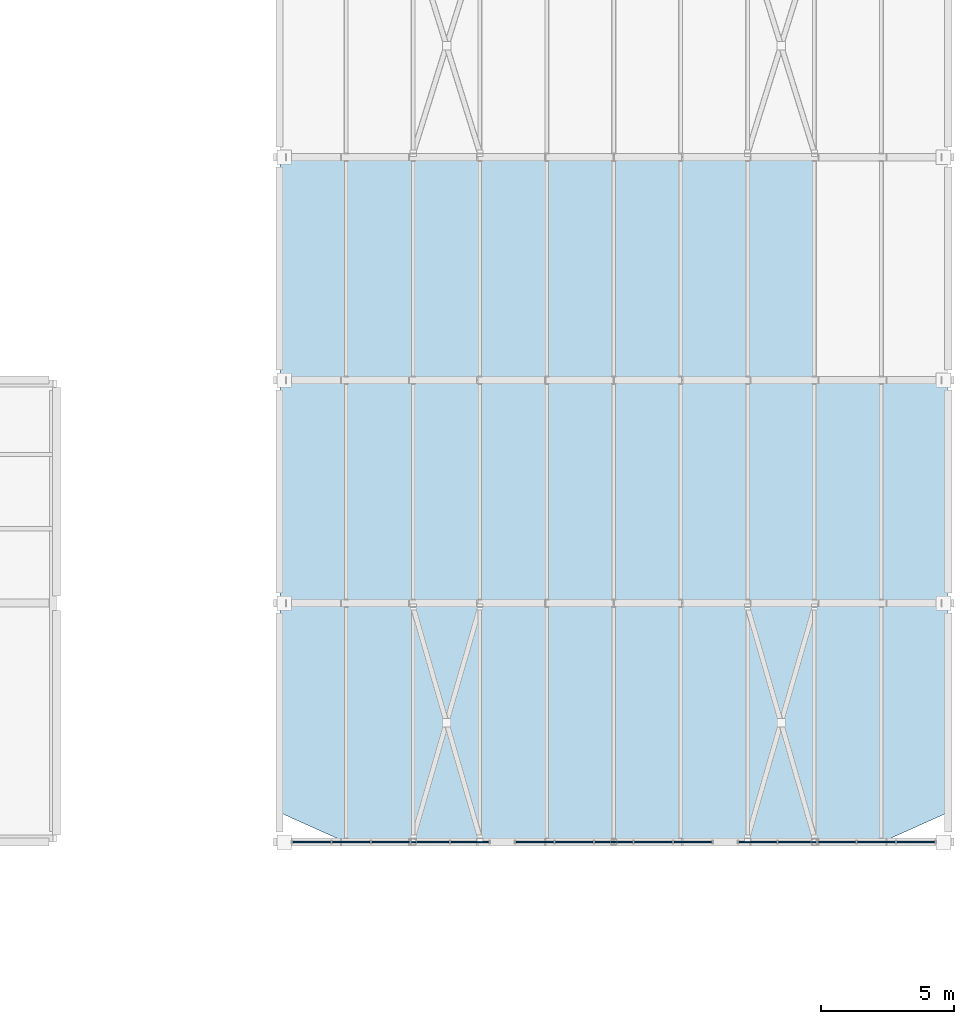
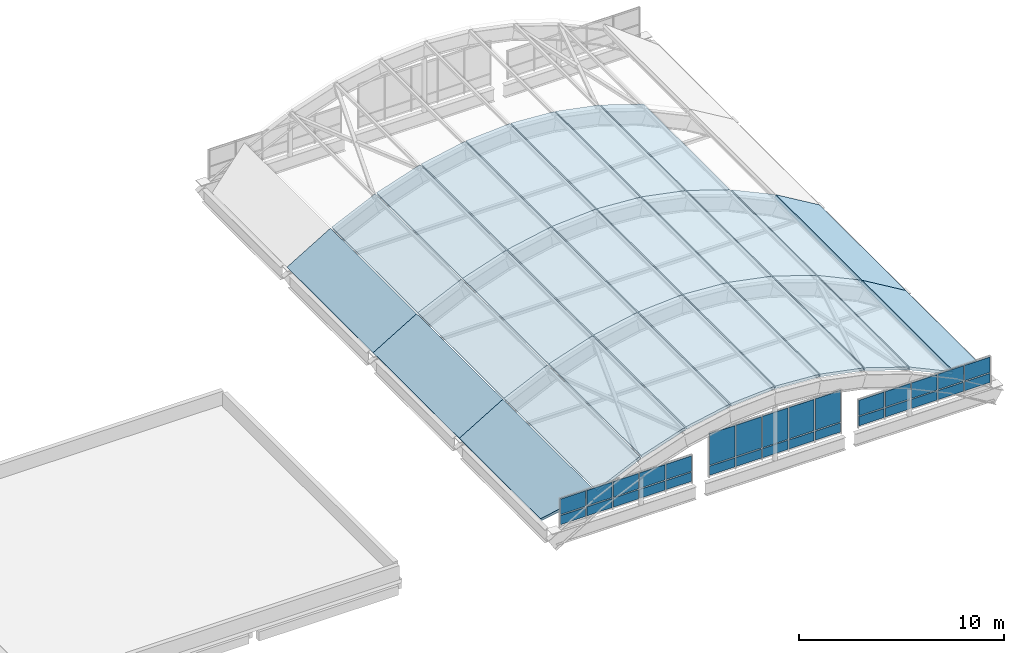
# One storey, part 80 of 107: 30 plates, 28 slabs, 4 elements without a shape of their own.
"""IFC4 building model written with IfcOpenShell, lengths in metres."""

from ifc_helpers import new_model, si_unit, direction, frame, origin, origin_2d, place, context, subcontext, project, spatial, polyline, rectangle, outline, extrude, material, layer, layer_set, type_object, element, aggregate, save


model = new_model("IFC4")

# Units and contexts
model_context = context("Model", 3, precision=1e-05, world=origin(), true_north=direction((0.0, 1.0)))
body_context = subcontext(model_context, "Body", "Model", "MODEL_VIEW")
ifc_project = project(units=[si_unit("LENGTHUNIT", "METRE"), si_unit("AREAUNIT", "SQUARE_METRE"), si_unit("VOLUMEUNIT", "CUBIC_METRE"), si_unit("PLANEANGLEUNIT", "RADIAN"), si_unit("MASSUNIT", "GRAM", prefix="KILO")], contexts=[model_context])

# Site, building, storey
site_placement = place(None, origin())
site = spatial("IfcSite", under=ifc_project, at=site_placement, CompositionType="ELEMENT")
building_placement = place(site_placement, origin())
building = spatial("IfcBuilding", under=site, at=building_placement, Name="Vireocrest Preparatory School", CompositionType="ELEMENT")
storey_placement = place(building_placement, frame((0.0, 0.0, 13.199951171875)))
storey = spatial("IfcBuildingStorey", under=building, at=storey_placement, Name="L03", CompositionType="ELEMENT", Elevation=13.199951171875)

# Roof, slabs
ifc_material_1 = material(Name="Structural steel ASTM A992 Grade 50", Category="steel")
ifc_layer_1 = layer(ifc_material_1, 0.159912109375)
ifc_layer_set_1 = layer_set([ifc_layer_1], Name="Structural steel ASTM A992 Grade 50")
roof_type = type_object("IfcRoofType", Name="Exposed Steel Barrel Vault Roof Assembly", PredefinedType="BARREL_ROOF", material=ifc_layer_set_1)
roof_placement = place(storey_placement, origin())
roof = element("IfcRoof", 1, at=roof_placement, inside=storey, type_object=roof_type, Name="Assembly Hall Barrel Vault Roof", PredefinedType="BARREL_ROOF")
ifc_material_2 = material(Name="Concrete 40 MPa", Category="concrete")
ifc_layer_2 = layer(ifc_material_2, 0.159912109375)
ifc_layer_set_2 = layer_set([ifc_layer_2], Name="Concrete 40 MPa")
slab_type = type_object("IfcSlabType", Name="Barrel Vault Insulated Composite Roof Deck 160", PredefinedType="ROOF", material=ifc_layer_set_2)
slab_1_placement = place(storey_placement, frame((142.8349609375, 19.10009765625, -0.03466796875), z_axis=(-0.512670168788, 0.0, 0.858585638149), x_axis=(0.801111562074, -0.359721843418, 0.478351816636)))
slab_1 = element("IfcSlab", 2, at=slab_1_placement, type_object=slab_type, Name="Assembly Hall Barrel Vault Roof Barrel Vault Roof Slab 1-1", PredefinedType="ROOF", context=body_context, shape_type="SweptSolid", body=[
    extrude(outline(polyline([(0.0, 0.0), (3.0581897551609387, 5.551115123125783e-17), (-0.17930683560537397, 8.397536294936542), (-2.841767433919714, 7.371079628677208), (0.0, 0.0)])), origin(), (0.0, 0.0, -1.0), 0.159912109375),
])
slab_2_placement = place(storey_placement, frame((145.35498046875, 18.0, 1.46533203125), z_axis=(-0.421252036967, 0.0, 0.90694361531), x_axis=(0.90694361531, 0.0, 0.421252036967)))
slab_2 = element("IfcSlab", 3, at=slab_2_placement, type_object=slab_type, Name="Assembly Hall Barrel Vault Roof Barrel Vault Roof Slab 1-2", PredefinedType="ROOF", context=body_context, shape_type="SweptSolid", body=[
    extrude(outline(polyline([(0.0, 0.0), (2.7013268857267367, 0.0), (2.7013268857267367, 9.0), (0.0, 9.0), (0.0, 0.0)])), origin(), (0.0, 0.0, -1.0), 0.159912109375),
])
slab_3_placement = place(storey_placement, frame((147.875, 18.0, 2.631103515625), z_axis=(-0.31486545079, 0.0, 0.949136316816), x_axis=(0.949136316816, 0.0, 0.31486545079)))
slab_3 = element("IfcSlab", 4, at=slab_3_placement, type_object=slab_type, Name="Assembly Hall Barrel Vault Roof Barrel Vault Roof Slab 1-3", PredefinedType="ROOF", context=body_context, shape_type="SweptSolid", body=[
    extrude(outline(polyline([(0.0, 0.0), (2.5812426818670025, 0.0), (2.5812426818670025, 9.0), (0.0, 9.0), (0.0, 0.0)])), origin(), (0.0, 0.0, -1.0), 0.159912109375),
])
slab_4_placement = place(storey_placement, frame((150.39501953125, 18.0, 3.462646484375), z_axis=(-0.195176287901, 0.0, 0.980768176809), x_axis=(0.980768176809, 0.0, 0.195176287901)))
slab_4 = element("IfcSlab", 5, at=slab_4_placement, type_object=slab_type, Name="Assembly Hall Barrel Vault Roof Barrel Vault Roof Slab 1-4", PredefinedType="ROOF", context=body_context, shape_type="SweptSolid", body=[
    extrude(outline(polyline([(0.0, 0.0), (2.4979921145547572, 0.0), (2.4979921145547572, 9.0), (0.0, 9.0), (0.0, 0.0)])), origin(), (0.0, 0.0, -1.0), 0.159912109375),
])
slab_5_placement = place(storey_placement, frame((152.9150390625, 18.0, 3.95947265625), z_axis=(-0.066222030045, 0.0, 0.997804912163), x_axis=(0.997804912163, 0.0, 0.066222030045)))
slab_5 = element("IfcSlab", 6, at=slab_5_placement, type_object=slab_type, Name="Assembly Hall Barrel Vault Roof Barrel Vault Roof Slab 1-5", PredefinedType="ROOF", context=body_context, shape_type="SweptSolid", body=[
    extrude(outline(polyline([(0.0, 0.0), (2.455340860733939, 0.0), (2.455340860733939, 9.0), (0.0, 9.0), (0.0, 0.0)])), origin(), (0.0, 0.0, -1.0), 0.159912109375),
])
slab_6_placement = place(storey_placement, frame((155.43505859375, 18.0, 4.1220703125), z_axis=(0.066222030045, 0.0, 0.997804912163), x_axis=(0.997804912163, 0.0, -0.066222030045)))
slab_6 = element("IfcSlab", 7, at=slab_6_placement, type_object=slab_type, Name="Assembly Hall Barrel Vault Roof Barrel Vault Roof Slab 1-6", PredefinedType="ROOF", context=body_context, shape_type="SweptSolid", body=[
    extrude(outline(polyline([(0.0, 0.0), (2.455340860733939, 0.0), (2.455340860733939, 9.0), (0.0, 9.0), (0.0, 0.0)])), origin(), (0.0, 0.0, -1.0), 0.159912109375),
])
slab_7_placement = place(storey_placement, frame((157.955078125, 18.0, 3.9501953125), z_axis=(0.195176287901, 0.0, 0.980768176809), x_axis=(0.980768176809, 0.0, -0.195176287901)))
slab_7 = element("IfcSlab", 8, at=slab_7_placement, type_object=slab_type, Name="Assembly Hall Barrel Vault Roof Barrel Vault Roof Slab 1-7", PredefinedType="ROOF", context=body_context, shape_type="SweptSolid", body=[
    extrude(outline(polyline([(0.0, 0.0), (2.4979921145547572, 0.0), (2.4979921145547572, 9.0), (0.0, 9.0), (0.0, 0.0)])), origin(), (0.0, 0.0, -1.0), 0.159912109375),
])
slab_8_placement = place(storey_placement, frame((160.47509765625, 18.0, 3.44384765625), z_axis=(0.31486545079, 0.0, 0.949136316816), x_axis=(0.949136316816, 0.0, -0.31486545079)))
slab_8 = element("IfcSlab", 9, at=slab_8_placement, type_object=slab_type, Name="Assembly Hall Barrel Vault Roof Barrel Vault Roof Slab 1-8", PredefinedType="ROOF", context=body_context, shape_type="SweptSolid", body=[
    extrude(outline(polyline([(0.0, 0.0), (2.5812426818670025, 0.0), (2.5812426818670025, 9.0), (0.0, 9.0), (0.0, 0.0)])), origin(), (0.0, 0.0, -1.0), 0.159912109375),
])
slab_9_placement = place(storey_placement, frame((162.9951171875, 18.0, 2.603271484375), z_axis=(0.421252036967, 0.0, 0.90694361531), x_axis=(0.90694361531, 0.0, -0.421252036967)))
slab_9 = element("IfcSlab", 10, at=slab_9_placement, type_object=slab_type, Name="Assembly Hall Barrel Vault Roof Barrel Vault Roof Slab 1-9", PredefinedType="ROOF", context=body_context, shape_type="SweptSolid", body=[
    extrude(outline(polyline([(0.0, 0.0), (2.7013268857267367, 0.0), (2.7013268857267367, 9.0), (0.0, 9.0), (0.0, 0.0)])), origin(), (0.0, 0.0, -1.0), 0.159912109375),
])
slab_10_placement = place(storey_placement, frame((165.514892578125, 18.0, 1.42822265625), z_axis=(0.512632510403, 0.0, 0.858608123231), x_axis=(0.801140156679, 0.35969883878, -0.478321225471)))
slab_10 = element("IfcSlab", 11, at=slab_10_placement, type_object=slab_type, Name="Assembly Hall Barrel Vault Roof Barrel Vault Roof Slab 1-10", PredefinedType="ROOF", context=body_context, shape_type="SweptSolid", body=[
    extrude(outline(polyline([(0.0, 0.0), (3.058385342529062, 5.551115123125783e-17), (5.899971042052691, 7.371149690044938), (3.237289549021542, 8.397616112671258), (0.0, 0.0)])), origin(), (0.0, 0.0, -1.0), 0.159912109375),
])
slab_11_placement = place(storey_placement, frame((142.8349609375, 27.0, -0.03466796875), z_axis=(-0.512670168788, 0.0, 0.858585638149), x_axis=(0.858585638149, 0.0, 0.512670168788)))
slab_11 = element("IfcSlab", 12, at=slab_11_placement, type_object=slab_type, Name="Assembly Hall Barrel Vault Roof Barrel Vault Roof Slab 2-1", PredefinedType="ROOF", context=body_context, shape_type="SweptSolid", body=[
    extrude(outline(polyline([(0.0, 0.0), (2.853473273974119, 0.0), (2.853473273974119, 8.39990234375), (0.0, 8.39990234375), (0.0, 0.0)])), origin(), (0.0, 0.0, -1.0), 0.159912109375),
])
slab_12_placement = place(storey_placement, frame((145.35498046875, 27.0, 1.46533203125), z_axis=(-0.421252036967, 0.0, 0.90694361531), x_axis=(0.90694361531, 0.0, 0.421252036967)))
slab_12 = element("IfcSlab", 13, at=slab_12_placement, type_object=slab_type, Name="Assembly Hall Barrel Vault Roof Barrel Vault Roof Slab 2-2", PredefinedType="ROOF", context=body_context, shape_type="SweptSolid", body=[
    extrude(outline(polyline([(0.0, 0.0), (2.7013268857267367, 0.0), (2.7013268857267367, 8.399902343749998), (0.0, 8.399902343749998), (0.0, 0.0)])), origin(), (0.0, 0.0, -1.0), 0.159912109375),
])
slab_13_placement = place(storey_placement, frame((147.875, 27.0, 2.631103515625), z_axis=(-0.31486545079, 0.0, 0.949136316816), x_axis=(0.949136316816, 0.0, 0.31486545079)))
slab_13 = element("IfcSlab", 14, at=slab_13_placement, type_object=slab_type, Name="Assembly Hall Barrel Vault Roof Barrel Vault Roof Slab 2-3", PredefinedType="ROOF", context=body_context, shape_type="SweptSolid", body=[
    extrude(outline(polyline([(0.0, 0.0), (2.5812426818670025, 0.0), (2.5812426818670025, 8.39990234375), (0.0, 8.39990234375), (0.0, 0.0)])), origin(), (0.0, 0.0, -1.0), 0.159912109375),
])
slab_14_placement = place(storey_placement, frame((150.39501953125, 27.0, 3.462646484375), z_axis=(-0.195176287901, 0.0, 0.980768176809), x_axis=(0.980768176809, 0.0, 0.195176287901)))
slab_14 = element("IfcSlab", 15, at=slab_14_placement, type_object=slab_type, Name="Assembly Hall Barrel Vault Roof Barrel Vault Roof Slab 2-4", PredefinedType="ROOF", context=body_context, shape_type="SweptSolid", body=[
    extrude(outline(polyline([(0.0, 0.0), (2.4979921145547572, 0.0), (2.4979921145547572, 8.39990234375), (0.0, 8.39990234375), (0.0, 0.0)])), origin(), (0.0, 0.0, -1.0), 0.159912109375),
])
slab_15_placement = place(storey_placement, frame((152.9150390625, 27.0, 3.95947265625), z_axis=(-0.066222030045, 0.0, 0.997804912163), x_axis=(0.997804912163, 0.0, 0.066222030045)))
slab_15 = element("IfcSlab", 16, at=slab_15_placement, type_object=slab_type, Name="Assembly Hall Barrel Vault Roof Barrel Vault Roof Slab 2-5", PredefinedType="ROOF", context=body_context, shape_type="SweptSolid", body=[
    extrude(outline(polyline([(0.0, 0.0), (2.455340860733939, 0.0), (2.455340860733939, 8.39990234375), (0.0, 8.39990234375), (0.0, 0.0)])), origin(), (0.0, 0.0, -1.0), 0.159912109375),
])
slab_16_placement = place(storey_placement, frame((155.43505859375, 27.0, 4.1220703125), z_axis=(0.066222030045, 0.0, 0.997804912163), x_axis=(0.997804912163, 0.0, -0.066222030045)))
slab_16 = element("IfcSlab", 17, at=slab_16_placement, type_object=slab_type, Name="Assembly Hall Barrel Vault Roof Barrel Vault Roof Slab 2-6", PredefinedType="ROOF", context=body_context, shape_type="SweptSolid", body=[
    extrude(outline(polyline([(0.0, 0.0), (2.455340860733939, 0.0), (2.455340860733939, 8.39990234375), (0.0, 8.39990234375), (0.0, 0.0)])), origin(), (0.0, 0.0, -1.0), 0.159912109375),
])
slab_17_placement = place(storey_placement, frame((157.955078125, 27.0, 3.9501953125), z_axis=(0.195176287901, 0.0, 0.980768176809), x_axis=(0.980768176809, 0.0, -0.195176287901)))
slab_17 = element("IfcSlab", 18, at=slab_17_placement, type_object=slab_type, Name="Assembly Hall Barrel Vault Roof Barrel Vault Roof Slab 2-7", PredefinedType="ROOF", context=body_context, shape_type="SweptSolid", body=[
    extrude(outline(polyline([(0.0, 0.0), (2.4979921145547572, 0.0), (2.4979921145547572, 8.39990234375), (0.0, 8.39990234375), (0.0, 0.0)])), origin(), (0.0, 0.0, -1.0), 0.159912109375),
])
slab_18_placement = place(storey_placement, frame((160.47509765625, 27.0, 3.44384765625), z_axis=(0.31486545079, 0.0, 0.949136316816), x_axis=(0.949136316816, 0.0, -0.31486545079)))
slab_18 = element("IfcSlab", 19, at=slab_18_placement, type_object=slab_type, Name="Assembly Hall Barrel Vault Roof Barrel Vault Roof Slab 2-8", PredefinedType="ROOF", context=body_context, shape_type="SweptSolid", body=[
    extrude(outline(polyline([(0.0, 0.0), (2.5812426818670025, 0.0), (2.5812426818670025, 8.39990234375), (0.0, 8.39990234375), (0.0, 0.0)])), origin(), (0.0, 0.0, -1.0), 0.159912109375),
])
slab_19_placement = place(storey_placement, frame((162.9951171875, 27.0, 2.603271484375), z_axis=(0.421252036967, 0.0, 0.90694361531), x_axis=(0.90694361531, 0.0, -0.421252036967)))
slab_19 = element("IfcSlab", 20, at=slab_19_placement, type_object=slab_type, Name="Assembly Hall Barrel Vault Roof Barrel Vault Roof Slab 2-9", PredefinedType="ROOF", context=body_context, shape_type="SweptSolid", body=[
    extrude(outline(polyline([(0.0, 0.0), (2.7013268857267367, 0.0), (2.7013268857267367, 8.399902343749998), (0.0, 8.399902343749998), (0.0, 0.0)])), origin(), (0.0, 0.0, -1.0), 0.159912109375),
])
slab_20_placement = place(storey_placement, frame((165.514892578125, 27.0, 1.42822265625), z_axis=(0.512632510403, 0.0, 0.858608123231), x_axis=(0.858608123231, 0.0, -0.512632510403)))
slab_20 = element("IfcSlab", 21, at=slab_20_placement, type_object=slab_type, Name="Assembly Hall Barrel Vault Roof Barrel Vault Roof Slab 2-10", PredefinedType="ROOF", context=body_context, shape_type="SweptSolid", body=[
    extrude(outline(polyline([(0.0, 0.0), (2.8536828923532944, 0.0), (2.8536828923532944, 8.39990234375), (0.0, 8.39990234375), (0.0, 0.0)])), origin(), (0.0, 0.0, -1.0), 0.159912109375),
])
slab_21_placement = place(storey_placement, frame((142.8349609375, 35.39990234375, -0.03466796875), z_axis=(-0.512670168788, 0.0, 0.858585638149), x_axis=(0.858585638149, 0.0, 0.512670168788)))
slab_21 = element("IfcSlab", 22, at=slab_21_placement, type_object=slab_type, Name="Assembly Hall Barrel Vault Roof Barrel Vault Roof Slab 3-1", PredefinedType="ROOF", context=body_context, shape_type="SweptSolid", body=[
    extrude(outline(polyline([(0.0, 0.0), (2.853473273974119, 0.0), (2.853473273974119, 8.400146484375), (0.0, 8.400146484375), (0.0, 0.0)])), origin(), (0.0, 0.0, -1.0), 0.159912109375),
])
slab_22_placement = place(storey_placement, frame((145.35498046875, 35.39990234375, 1.46533203125), z_axis=(-0.421252036967, 0.0, 0.90694361531), x_axis=(0.90694361531, 0.0, 0.421252036967)))
slab_22 = element("IfcSlab", 23, at=slab_22_placement, type_object=slab_type, Name="Assembly Hall Barrel Vault Roof Barrel Vault Roof Slab 3-2", PredefinedType="ROOF", context=body_context, shape_type="SweptSolid", body=[
    extrude(outline(polyline([(0.0, 0.0), (2.7013268857267367, 0.0), (2.7013268857267367, 8.400146484374998), (0.0, 8.400146484374998), (0.0, 0.0)])), origin(), (0.0, 0.0, -1.0), 0.159912109375),
])
slab_23_placement = place(storey_placement, frame((147.875, 35.39990234375, 2.631103515625), z_axis=(-0.31486545079, 0.0, 0.949136316816), x_axis=(0.949136316816, 0.0, 0.31486545079)))
slab_23 = element("IfcSlab", 24, at=slab_23_placement, type_object=slab_type, Name="Assembly Hall Barrel Vault Roof Barrel Vault Roof Slab 3-3", PredefinedType="ROOF", context=body_context, shape_type="SweptSolid", body=[
    extrude(outline(polyline([(0.0, 0.0), (2.5812426818670025, 0.0), (2.5812426818670025, 8.400146484374998), (0.0, 8.400146484374998), (0.0, 0.0)])), origin(), (0.0, 0.0, -1.0), 0.159912109375),
])
slab_24_placement = place(storey_placement, frame((150.39501953125, 35.39990234375, 3.462646484375), z_axis=(-0.195176287901, 0.0, 0.980768176809), x_axis=(0.980768176809, 0.0, 0.195176287901)))
slab_24 = element("IfcSlab", 25, at=slab_24_placement, type_object=slab_type, Name="Assembly Hall Barrel Vault Roof Barrel Vault Roof Slab 3-4", PredefinedType="ROOF", context=body_context, shape_type="SweptSolid", body=[
    extrude(outline(polyline([(0.0, 0.0), (2.4979921145547572, 0.0), (2.4979921145547572, 8.400146484374998), (0.0, 8.400146484374998), (0.0, 0.0)])), origin(), (0.0, 0.0, -1.0), 0.159912109375),
])
slab_25_placement = place(storey_placement, frame((152.9150390625, 35.39990234375, 3.95947265625), z_axis=(-0.066222030045, 0.0, 0.997804912163), x_axis=(0.997804912163, 0.0, 0.066222030045)))
slab_25 = element("IfcSlab", 26, at=slab_25_placement, type_object=slab_type, Name="Assembly Hall Barrel Vault Roof Barrel Vault Roof Slab 3-5", PredefinedType="ROOF", context=body_context, shape_type="SweptSolid", body=[
    extrude(outline(polyline([(0.0, 0.0), (2.455340860733939, 0.0), (2.455340860733939, 8.400146484374998), (0.0, 8.400146484374998), (0.0, 0.0)])), origin(), (0.0, 0.0, -1.0), 0.159912109375),
])
slab_26_placement = place(storey_placement, frame((155.43505859375, 35.39990234375, 4.1220703125), z_axis=(0.066222030045, 0.0, 0.997804912163), x_axis=(0.997804912163, 0.0, -0.066222030045)))
slab_26 = element("IfcSlab", 27, at=slab_26_placement, type_object=slab_type, Name="Assembly Hall Barrel Vault Roof Barrel Vault Roof Slab 3-6", PredefinedType="ROOF", context=body_context, shape_type="SweptSolid", body=[
    extrude(outline(polyline([(0.0, 0.0), (2.455340860733939, 0.0), (2.455340860733939, 8.400146484374998), (0.0, 8.400146484374998), (0.0, 0.0)])), origin(), (0.0, 0.0, -1.0), 0.159912109375),
])
slab_27_placement = place(storey_placement, frame((157.955078125, 35.39990234375, 3.9501953125), z_axis=(0.195176287901, 0.0, 0.980768176809), x_axis=(0.980768176809, 0.0, -0.195176287901)))
slab_27 = element("IfcSlab", 28, at=slab_27_placement, type_object=slab_type, Name="Assembly Hall Barrel Vault Roof Barrel Vault Roof Slab 3-7", PredefinedType="ROOF", context=body_context, shape_type="SweptSolid", body=[
    extrude(outline(polyline([(0.0, 0.0), (2.4979921145547572, 0.0), (2.4979921145547572, 8.400146484374998), (0.0, 8.400146484374998), (0.0, 0.0)])), origin(), (0.0, 0.0, -1.0), 0.159912109375),
])
slab_28_placement = place(storey_placement, frame((160.47509765625, 35.39990234375, 3.44384765625), z_axis=(0.31486545079, 0.0, 0.949136316816), x_axis=(0.949136316816, 0.0, -0.31486545079)))
slab_28 = element("IfcSlab", 29, at=slab_28_placement, type_object=slab_type, Name="Assembly Hall Barrel Vault Roof Barrel Vault Roof Slab 3-8", PredefinedType="ROOF", context=body_context, shape_type="SweptSolid", body=[
    extrude(outline(polyline([(0.0, 0.0), (2.5812426818670025, 0.0), (2.5812426818670025, 8.400146484374998), (0.0, 8.400146484374998), (0.0, 0.0)])), origin(), (0.0, 0.0, -1.0), 0.159912109375),
])
aggregate(roof, [slab_1, slab_2, slab_3, slab_4, slab_5, slab_6, slab_7, slab_8, slab_9, slab_10, slab_11, slab_12, slab_13, slab_14, slab_15, slab_16, slab_17, slab_18, slab_19, slab_20, slab_21, slab_22, slab_23, slab_24, slab_25, slab_26, slab_27, slab_28])

# Curtain wall, plates
ifc_material_3 = material(Name="Thermally broken aluminium EN AW-6063-T6", Category="aluminium")
ifc_layer_3 = layer(ifc_material_3, 0.179931640625)
ifc_layer_set_3 = layer_set([ifc_layer_3], Name="Thermally broken aluminium EN AW-6063-T6")
curtain_wall_type_1 = type_object("IfcCurtainWallType", Name="Vault Gable Clerestory 8400x2600", PredefinedType="USERDEFINED", material=ifc_layer_set_3)
curtain_wall_1_placement = place(storey_placement, origin())
curtain_wall_1 = element("IfcCurtainWall", 30, at=curtain_wall_1_placement, inside=storey, type_object=curtain_wall_type_1, Name="Curtain Wall CW13 CW_L03_CW13_1432_0180_132", ObjectType="CURTAIN WALL", PredefinedType="USERDEFINED")
ifc_material_4 = material(Name="Insulated triple low-e tempered safety glass", Category="glass")
ifc_layer_4 = layer(ifc_material_4, 0.06005859375)
ifc_layer_set_4 = layer_set([ifc_layer_4], Name="Insulated triple low-e tempered safety glass")
plate_type = type_object("IfcPlateType", Name="Triple-Glazed Vision Curtain Panel 60", PredefinedType="CURTAIN_PANEL", material=ifc_layer_set_4)
plate_1_placement = place(storey_placement, frame((144.02392578125, 18.0, 0.12744140625), z_axis=(0.0, 0.0, 1.0), x_axis=(1.0, 0.0, 0.0)))
plate_1 = element("IfcPlate", 31, at=plate_1_placement, type_object=plate_type, Name="CW Panel GL1 CW_L03_CW13_1432_0180_132-1-1", PredefinedType="CURTAIN_PANEL", context=body_context, shape_type="SweptSolid", body=[
    extrude(rectangle(XDim=1.423095703125, YDim=0.06005859375, at=origin_2d()), origin(), (0.0, 0.0, 1.0), 0.5400390625),
])
plate_2_placement = place(storey_placement, frame((144.02392578125, 18.0, 0.732421875), z_axis=(0.0, 0.0, 1.0), x_axis=(1.0, 0.0, 0.0)))
plate_2 = element("IfcPlate", 32, at=plate_2_placement, type_object=plate_type, Name="CW Panel GL1 CW_L03_CW13_1432_0180_132-1-2", PredefinedType="CURTAIN_PANEL", context=body_context, shape_type="SweptSolid", body=[
    extrude(rectangle(XDim=1.423095703125, YDim=0.06005859375, at=origin_2d()), origin(), (0.0, 0.0, 1.0), 0.909912109375),
])
plate_3_placement = place(storey_placement, frame((145.511962890625, 18.0, 0.12744140625), z_axis=(0.0, 0.0, 1.0), x_axis=(1.0, 0.0, 0.0)))
plate_3 = element("IfcPlate", 33, at=plate_3_placement, type_object=plate_type, Name="CW Panel GL1 CW_L03_CW13_1432_0180_132-2-1", PredefinedType="CURTAIN_PANEL", context=body_context, shape_type="SweptSolid", body=[
    extrude(rectangle(XDim=1.423095703125, YDim=0.06005859375, at=origin_2d()), origin(), (0.0, 0.0, 1.0), 0.5400390625),
])
plate_4_placement = place(storey_placement, frame((145.511962890625, 18.0, 0.732421875), z_axis=(0.0, 0.0, 1.0), x_axis=(1.0, 0.0, 0.0)))
plate_4 = element("IfcPlate", 34, at=plate_4_placement, type_object=plate_type, Name="CW Panel GL1 CW_L03_CW13_1432_0180_132-2-2", PredefinedType="CURTAIN_PANEL", context=body_context, shape_type="SweptSolid", body=[
    extrude(rectangle(XDim=1.423095703125, YDim=0.06005859375, at=origin_2d()), origin(), (0.0, 0.0, 1.0), 0.909912109375),
])
plate_5_placement = place(storey_placement, frame((147.0, 18.0, 0.12744140625), z_axis=(0.0, 0.0, 1.0), x_axis=(1.0, 0.0, 0.0)))
plate_5 = element("IfcPlate", 35, at=plate_5_placement, type_object=plate_type, Name="CW Panel GL1 CW_L03_CW13_1432_0180_132-3-1", PredefinedType="CURTAIN_PANEL", context=body_context, shape_type="SweptSolid", body=[
    extrude(rectangle(XDim=1.423095703125, YDim=0.06005859375, at=origin_2d()), origin(), (0.0, 0.0, 1.0), 0.5400390625),
])
plate_6_placement = place(storey_placement, frame((147.0, 18.0, 0.732421875), z_axis=(0.0, 0.0, 1.0), x_axis=(1.0, 0.0, 0.0)))
plate_6 = element("IfcPlate", 36, at=plate_6_placement, type_object=plate_type, Name="CW Panel GL1 CW_L03_CW13_1432_0180_132-3-2", PredefinedType="CURTAIN_PANEL", context=body_context, shape_type="SweptSolid", body=[
    extrude(rectangle(XDim=1.423095703125, YDim=0.06005859375, at=origin_2d()), origin(), (0.0, 0.0, 1.0), 0.909912109375),
])
plate_7_placement = place(storey_placement, frame((148.488037109375, 18.0, 0.12744140625), z_axis=(0.0, 0.0, 1.0), x_axis=(1.0, 0.0, 0.0)))
plate_7 = element("IfcPlate", 37, at=plate_7_placement, type_object=plate_type, Name="CW Panel GL1 CW_L03_CW13_1432_0180_132-4-1", PredefinedType="CURTAIN_PANEL", context=body_context, shape_type="SweptSolid", body=[
    extrude(rectangle(XDim=1.423095703125, YDim=0.06005859375, at=origin_2d()), origin(), (0.0, 0.0, 1.0), 0.5400390625),
])
plate_8_placement = place(storey_placement, frame((148.488037109375, 18.0, 0.732421875), z_axis=(0.0, 0.0, 1.0), x_axis=(1.0, 0.0, 0.0)))
plate_8 = element("IfcPlate", 38, at=plate_8_placement, type_object=plate_type, Name="CW Panel GL1 CW_L03_CW13_1432_0180_132-4-2", PredefinedType="CURTAIN_PANEL", context=body_context, shape_type="SweptSolid", body=[
    extrude(rectangle(XDim=1.423095703125, YDim=0.06005859375, at=origin_2d()), origin(), (0.0, 0.0, 1.0), 0.909912109375),
])
plate_9_placement = place(storey_placement, frame((149.97607421875, 18.0, 0.12744140625), z_axis=(0.0, 0.0, 1.0), x_axis=(1.0, 0.0, 0.0)))
plate_9 = element("IfcPlate", 39, at=plate_9_placement, type_object=plate_type, Name="CW Panel GL1 CW_L03_CW13_1432_0180_132-5-1", PredefinedType="CURTAIN_PANEL", context=body_context, shape_type="SweptSolid", body=[
    extrude(rectangle(XDim=1.423095703125, YDim=0.06005859375, at=origin_2d()), origin(), (0.0, 0.0, 1.0), 0.5400390625),
])
plate_10_placement = place(storey_placement, frame((149.97607421875, 18.0, 0.732421875), z_axis=(0.0, 0.0, 1.0), x_axis=(1.0, 0.0, 0.0)))
plate_10 = element("IfcPlate", 40, at=plate_10_placement, type_object=plate_type, Name="CW Panel GL1 CW_L03_CW13_1432_0180_132-5-2", PredefinedType="CURTAIN_PANEL", context=body_context, shape_type="SweptSolid", body=[
    extrude(rectangle(XDim=1.423095703125, YDim=0.06005859375, at=origin_2d()), origin(), (0.0, 0.0, 1.0), 0.909912109375),
])
aggregate(curtain_wall_1, [plate_1, plate_2, plate_3, plate_4, plate_5, plate_6, plate_7, plate_8, plate_9, plate_10])

ifc_layer_5 = layer(ifc_material_3, 0.179931640625)
ifc_layer_set_5 = layer_set([ifc_layer_5], Name="Thermally broken aluminium EN AW-6063-T6")
curtain_wall_type_2 = type_object("IfcCurtainWallType", Name="Vault Centre Gable Clerestory 8400x3800", PredefinedType="USERDEFINED", material=ifc_layer_set_5)
curtain_wall_2_placement = place(storey_placement, origin())
curtain_wall_2 = element("IfcCurtainWall", 41, at=curtain_wall_2_placement, inside=storey, type_object=curtain_wall_type_2, Name="Curtain Wall CW14 CW_L03_CW14_1516_0180_132", ObjectType="CURTAIN WALL", PredefinedType="USERDEFINED")
plate_11_placement = place(storey_placement, frame((152.424072265625, 18.0, 0.12744140625), z_axis=(0.0, 0.0, 1.0), x_axis=(1.0, 0.0, 0.0)))
plate_11 = element("IfcPlate", 42, at=plate_11_placement, type_object=plate_type, Name="CW Panel GL1 CW_L03_CW14_1516_0180_132-1-1", PredefinedType="CURTAIN_PANEL", context=body_context, shape_type="SweptSolid", body=[
    extrude(rectangle(XDim=1.423095703125, YDim=0.06005859375, at=origin_2d()), origin(), (0.0, 0.0, 1.0), 0.5400390625),
])
plate_12_placement = place(storey_placement, frame((152.424072265625, 18.0, 0.732421875), z_axis=(0.0, 0.0, 1.0), x_axis=(1.0, 0.0, 0.0)))
plate_12 = element("IfcPlate", 43, at=plate_12_placement, type_object=plate_type, Name="CW Panel GL1 CW_L03_CW14_1516_0180_132-1-2", PredefinedType="CURTAIN_PANEL", context=body_context, shape_type="SweptSolid", body=[
    extrude(rectangle(XDim=1.423095703125, YDim=0.06005859375, at=origin_2d()), origin(), (0.0, 0.0, 1.0), 1.860107421875),
])
plate_13_placement = place(storey_placement, frame((153.912109375, 18.0, 0.12744140625), z_axis=(0.0, 0.0, 1.0), x_axis=(1.0, 0.0, 0.0)))
plate_13 = element("IfcPlate", 44, at=plate_13_placement, type_object=plate_type, Name="CW Panel GL1 CW_L03_CW14_1516_0180_132-2-1", PredefinedType="CURTAIN_PANEL", context=body_context, shape_type="SweptSolid", body=[
    extrude(rectangle(XDim=1.423095703125, YDim=0.06005859375, at=origin_2d()), origin(), (0.0, 0.0, 1.0), 0.5400390625),
])
plate_14_placement = place(storey_placement, frame((153.912109375, 18.0, 0.732421875), z_axis=(0.0, 0.0, 1.0), x_axis=(1.0, 0.0, 0.0)))
plate_14 = element("IfcPlate", 45, at=plate_14_placement, type_object=plate_type, Name="CW Panel GL1 CW_L03_CW14_1516_0180_132-2-2", PredefinedType="CURTAIN_PANEL", context=body_context, shape_type="SweptSolid", body=[
    extrude(rectangle(XDim=1.423095703125, YDim=0.06005859375, at=origin_2d()), origin(), (0.0, 0.0, 1.0), 1.860107421875),
])
plate_15_placement = place(storey_placement, frame((155.39990234375, 18.0, 0.12744140625), z_axis=(0.0, 0.0, 1.0), x_axis=(1.0, 0.0, 0.0)))
plate_15 = element("IfcPlate", 46, at=plate_15_placement, type_object=plate_type, Name="CW Panel GL1 CW_L03_CW14_1516_0180_132-3-1", PredefinedType="CURTAIN_PANEL", context=body_context, shape_type="SweptSolid", body=[
    extrude(rectangle(XDim=1.423095703125, YDim=0.06005859375, at=origin_2d()), origin(), (0.0, 0.0, 1.0), 0.5400390625),
])
plate_16_placement = place(storey_placement, frame((155.39990234375, 18.0, 0.732421875), z_axis=(0.0, 0.0, 1.0), x_axis=(1.0, 0.0, 0.0)))
plate_16 = element("IfcPlate", 47, at=plate_16_placement, type_object=plate_type, Name="CW Panel GL1 CW_L03_CW14_1516_0180_132-3-2", PredefinedType="CURTAIN_PANEL", context=body_context, shape_type="SweptSolid", body=[
    extrude(rectangle(XDim=1.423095703125, YDim=0.06005859375, at=origin_2d()), origin(), (0.0, 0.0, 1.0), 1.860107421875),
])
plate_17_placement = place(storey_placement, frame((156.887939453125, 18.0, 0.12744140625), z_axis=(0.0, 0.0, 1.0), x_axis=(1.0, 0.0, 0.0)))
plate_17 = element("IfcPlate", 48, at=plate_17_placement, type_object=plate_type, Name="CW Panel GL1 CW_L03_CW14_1516_0180_132-4-1", PredefinedType="CURTAIN_PANEL", context=body_context, shape_type="SweptSolid", body=[
    extrude(rectangle(XDim=1.423095703125, YDim=0.06005859375, at=origin_2d()), origin(), (0.0, 0.0, 1.0), 0.5400390625),
])
plate_18_placement = place(storey_placement, frame((156.887939453125, 18.0, 0.732421875), z_axis=(0.0, 0.0, 1.0), x_axis=(1.0, 0.0, 0.0)))
plate_18 = element("IfcPlate", 49, at=plate_18_placement, type_object=plate_type, Name="CW Panel GL1 CW_L03_CW14_1516_0180_132-4-2", PredefinedType="CURTAIN_PANEL", context=body_context, shape_type="SweptSolid", body=[
    extrude(rectangle(XDim=1.423095703125, YDim=0.06005859375, at=origin_2d()), origin(), (0.0, 0.0, 1.0), 1.860107421875),
])
plate_19_placement = place(storey_placement, frame((158.3759765625, 18.0, 0.12744140625), z_axis=(0.0, 0.0, 1.0), x_axis=(1.0, 0.0, 0.0)))
plate_19 = element("IfcPlate", 50, at=plate_19_placement, type_object=plate_type, Name="CW Panel GL1 CW_L03_CW14_1516_0180_132-5-1", PredefinedType="CURTAIN_PANEL", context=body_context, shape_type="SweptSolid", body=[
    extrude(rectangle(XDim=1.423095703125, YDim=0.06005859375, at=origin_2d()), origin(), (0.0, 0.0, 1.0), 0.5400390625),
])
plate_20_placement = place(storey_placement, frame((158.3759765625, 18.0, 0.732421875), z_axis=(0.0, 0.0, 1.0), x_axis=(1.0, 0.0, 0.0)))
plate_20 = element("IfcPlate", 51, at=plate_20_placement, type_object=plate_type, Name="CW Panel GL1 CW_L03_CW14_1516_0180_132-5-2", PredefinedType="CURTAIN_PANEL", context=body_context, shape_type="SweptSolid", body=[
    extrude(rectangle(XDim=1.423095703125, YDim=0.06005859375, at=origin_2d()), origin(), (0.0, 0.0, 1.0), 1.860107421875),
])
aggregate(curtain_wall_2, [plate_11, plate_12, plate_13, plate_14, plate_15, plate_16, plate_17, plate_18, plate_19, plate_20])

curtain_wall_3_placement = place(storey_placement, origin())
curtain_wall_3 = element("IfcCurtainWall", 52, at=curtain_wall_3_placement, inside=storey, type_object=curtain_wall_type_1, Name="Curtain Wall CW13 CW_L03_CW13_1600_0180_132", ObjectType="CURTAIN WALL", PredefinedType="USERDEFINED")
plate_21_placement = place(storey_placement, frame((160.823974609375, 18.0, 0.12744140625), z_axis=(0.0, 0.0, 1.0), x_axis=(1.0, 0.0, 0.0)))
plate_21 = element("IfcPlate", 53, at=plate_21_placement, type_object=plate_type, Name="CW Panel GL1 CW_L03_CW13_1600_0180_132-1-1", PredefinedType="CURTAIN_PANEL", context=body_context, shape_type="SweptSolid", body=[
    extrude(rectangle(XDim=1.423095703125, YDim=0.06005859375, at=origin_2d()), origin(), (0.0, 0.0, 1.0), 0.5400390625),
])
plate_22_placement = place(storey_placement, frame((160.823974609375, 18.0, 0.732421875), z_axis=(0.0, 0.0, 1.0), x_axis=(1.0, 0.0, 0.0)))
plate_22 = element("IfcPlate", 54, at=plate_22_placement, type_object=plate_type, Name="CW Panel GL1 CW_L03_CW13_1600_0180_132-1-2", PredefinedType="CURTAIN_PANEL", context=body_context, shape_type="SweptSolid", body=[
    extrude(rectangle(XDim=1.423095703125, YDim=0.06005859375, at=origin_2d()), origin(), (0.0, 0.0, 1.0), 0.909912109375),
])
plate_23_placement = place(storey_placement, frame((162.31201171875, 18.0, 0.12744140625), z_axis=(0.0, 0.0, 1.0), x_axis=(1.0, 0.0, 0.0)))
plate_23 = element("IfcPlate", 55, at=plate_23_placement, type_object=plate_type, Name="CW Panel GL1 CW_L03_CW13_1600_0180_132-2-1", PredefinedType="CURTAIN_PANEL", context=body_context, shape_type="SweptSolid", body=[
    extrude(rectangle(XDim=1.423095703125, YDim=0.06005859375, at=origin_2d()), origin(), (0.0, 0.0, 1.0), 0.5400390625),
])
plate_24_placement = place(storey_placement, frame((162.31201171875, 18.0, 0.732421875), z_axis=(0.0, 0.0, 1.0), x_axis=(1.0, 0.0, 0.0)))
plate_24 = element("IfcPlate", 56, at=plate_24_placement, type_object=plate_type, Name="CW Panel GL1 CW_L03_CW13_1600_0180_132-2-2", PredefinedType="CURTAIN_PANEL", context=body_context, shape_type="SweptSolid", body=[
    extrude(rectangle(XDim=1.423095703125, YDim=0.06005859375, at=origin_2d()), origin(), (0.0, 0.0, 1.0), 0.909912109375),
])
plate_25_placement = place(storey_placement, frame((163.800048828125, 18.0, 0.12744140625), z_axis=(0.0, 0.0, 1.0), x_axis=(1.0, 0.0, 0.0)))
plate_25 = element("IfcPlate", 57, at=plate_25_placement, type_object=plate_type, Name="CW Panel GL1 CW_L03_CW13_1600_0180_132-3-1", PredefinedType="CURTAIN_PANEL", context=body_context, shape_type="SweptSolid", body=[
    extrude(rectangle(XDim=1.423095703125, YDim=0.06005859375, at=origin_2d()), origin(), (0.0, 0.0, 1.0), 0.5400390625),
])
plate_26_placement = place(storey_placement, frame((163.800048828125, 18.0, 0.732421875), z_axis=(0.0, 0.0, 1.0), x_axis=(1.0, 0.0, 0.0)))
plate_26 = element("IfcPlate", 58, at=plate_26_placement, type_object=plate_type, Name="CW Panel GL1 CW_L03_CW13_1600_0180_132-3-2", PredefinedType="CURTAIN_PANEL", context=body_context, shape_type="SweptSolid", body=[
    extrude(rectangle(XDim=1.423095703125, YDim=0.06005859375, at=origin_2d()), origin(), (0.0, 0.0, 1.0), 0.909912109375),
])
plate_27_placement = place(storey_placement, frame((165.2880859375, 18.0, 0.12744140625), z_axis=(0.0, 0.0, 1.0), x_axis=(1.0, 0.0, 0.0)))
plate_27 = element("IfcPlate", 59, at=plate_27_placement, type_object=plate_type, Name="CW Panel GL1 CW_L03_CW13_1600_0180_132-4-1", PredefinedType="CURTAIN_PANEL", context=body_context, shape_type="SweptSolid", body=[
    extrude(rectangle(XDim=1.423095703125, YDim=0.06005859375, at=origin_2d()), origin(), (0.0, 0.0, 1.0), 0.5400390625),
])
plate_28_placement = place(storey_placement, frame((165.2880859375, 18.0, 0.732421875), z_axis=(0.0, 0.0, 1.0), x_axis=(1.0, 0.0, 0.0)))
plate_28 = element("IfcPlate", 60, at=plate_28_placement, type_object=plate_type, Name="CW Panel GL1 CW_L03_CW13_1600_0180_132-4-2", PredefinedType="CURTAIN_PANEL", context=body_context, shape_type="SweptSolid", body=[
    extrude(rectangle(XDim=1.423095703125, YDim=0.06005859375, at=origin_2d()), origin(), (0.0, 0.0, 1.0), 0.909912109375),
])
plate_29_placement = place(storey_placement, frame((166.77587890625, 18.0, 0.12744140625), z_axis=(0.0, 0.0, 1.0), x_axis=(1.0, 0.0, 0.0)))
plate_29 = element("IfcPlate", 61, at=plate_29_placement, type_object=plate_type, Name="CW Panel GL1 CW_L03_CW13_1600_0180_132-5-1", PredefinedType="CURTAIN_PANEL", context=body_context, shape_type="SweptSolid", body=[
    extrude(rectangle(XDim=1.423095703125, YDim=0.06005859375, at=origin_2d()), origin(), (0.0, 0.0, 1.0), 0.5400390625),
])
plate_30_placement = place(storey_placement, frame((166.77587890625, 18.0, 0.732421875), z_axis=(0.0, 0.0, 1.0), x_axis=(1.0, 0.0, 0.0)))
plate_30 = element("IfcPlate", 62, at=plate_30_placement, type_object=plate_type, Name="CW Panel GL1 CW_L03_CW13_1600_0180_132-5-2", PredefinedType="CURTAIN_PANEL", context=body_context, shape_type="SweptSolid", body=[
    extrude(rectangle(XDim=1.423095703125, YDim=0.06005859375, at=origin_2d()), origin(), (0.0, 0.0, 1.0), 0.909912109375),
])
aggregate(curtain_wall_3, [plate_21, plate_22, plate_23, plate_24, plate_25, plate_26, plate_27, plate_28, plate_29, plate_30])

save(model, "model.ifc")
